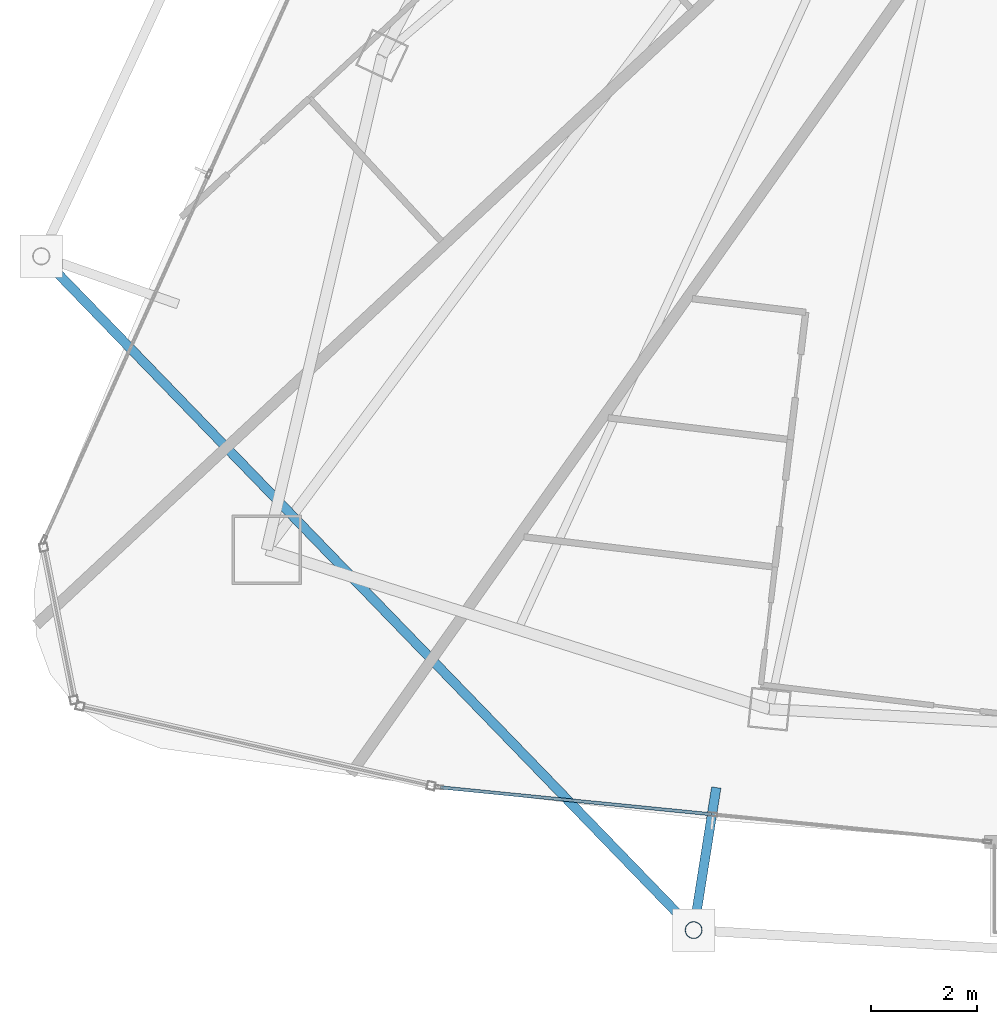
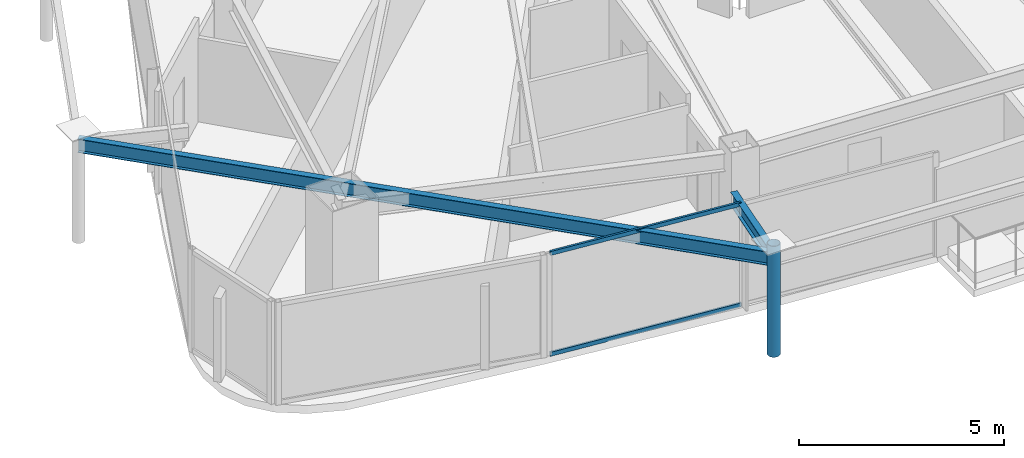
# One storey, part 3 of 32: 3 members, 2 beams, 1 element without a shape of its own.
"""IFC4 building model written with IfcOpenShell, lengths in metres."""

from ifc_helpers import new_model, si_unit, direction, frame, origin, origin_2d, place, context, subcontext, project, spatial, hollow_rectangle, hollow_circle, i_section, extrude, material, layer, layer_set, material_profile, profile_set, type_object, element, aggregate, save


model = new_model("IFC4")

# Units and contexts
model_context = context("Model", 3, precision=1e-05, world=origin(), true_north=direction((0.0, 1.0)))
body_context = subcontext(model_context, "Body", "Model", "MODEL_VIEW")
ifc_project = project(units=[si_unit("LENGTHUNIT", "METRE"), si_unit("AREAUNIT", "SQUARE_METRE"), si_unit("VOLUMEUNIT", "CUBIC_METRE"), si_unit("PLANEANGLEUNIT", "RADIAN"), si_unit("MASSUNIT", "GRAM", prefix="KILO")], contexts=[model_context])

# Site, building, storey
site_placement = place(None, origin())
site = spatial("IfcSite", under=ifc_project, at=site_placement, CompositionType="ELEMENT")
building_placement = place(site_placement, origin())
building = spatial("IfcBuilding", under=site, at=building_placement, Name="Orvanel Arch Residences", CompositionType="ELEMENT")
storey_placement = place(building_placement, frame((0.0, 0.0, 222.800048828125)))
storey = spatial("IfcBuildingStorey", under=building, at=storey_placement, Name="L63", CompositionType="ELEMENT", Elevation=222.800048828125)

# Beams
ifc_material_1 = material(Name="Structural steel AS/NZS 3679.1 Grade 300 (300 MPa)", Category="steel")
ifc_material_profile_1 = material_profile(ifc_material_1, i_section(OverallWidth=0.177978515625, OverallDepth=0.406005859375, WebThickness=0.0078125, FlangeThickness=0.0126953125, at=origin_2d()), Name="410UB59.7")
ifc_profile_set_1 = profile_set([ifc_material_profile_1], Name="Structural steel AS/NZS 3679.1 Grade 300 (300 MPa)")
beam_type = type_object("IfcBeamType", Name="OB-410UB-EXT", PredefinedType="SPANDREL", material=ifc_profile_set_1)
beam_1_placement = place(storey_placement, frame((9.9609375, 15.867919921875, 2.85693359375), z_axis=(0.695589803041, -0.718439159502, 0.0), x_axis=(0.718439159502, 0.695589803041, 0.0)))
element("IfcBeam", 1, at=beam_1_placement, inside=storey, type_object=beam_type, Name="L63 Outer Perimeter Floor Ring Beam 04", PredefinedType="SPANDREL", context=body_context, shape_type="SweptSolid", body=[
    extrude(i_section(OverallWidth=0.177978515625, OverallDepth=0.406005859375, WebThickness=0.0078125, FlangeThickness=0.0126953125, at=origin_2d()), origin(), (0.0, 0.0, 1.0), 17.6298828125),
])
beam_2_placement = place(storey_placement, frame((22.64892578125, 5.882080078125, 2.85693359375), z_axis=(-0.156544664948, -0.987670880342, 0.0), x_axis=(0.987670880342, -0.156544664948, 0.0)))
element("IfcBeam", 2, at=beam_2_placement, inside=storey, type_object=beam_type, Name="L63 Outer Frame Radial Tie Beam 05", PredefinedType="SPANDREL", context=body_context, shape_type="SweptSolid", body=[
    extrude(i_section(OverallWidth=0.177978515625, OverallDepth=0.406005859375, WebThickness=0.0078125, FlangeThickness=0.0126953125, at=origin_2d()), origin(), (0.0, 0.0, 1.0), 2.713623046875),
])

# Member
ifc_material_2 = material(Name="Structural steel AS/NZS 1163 C350L0 (Grade 350)", Category="steel")
ifc_material_profile_2 = material_profile(ifc_material_2, hollow_circle(Radius=0.162109375, WallThickness=0.0126953125, at=origin_2d()), Name="CHS324x12.7")
ifc_profile_set_2 = profile_set([ifc_material_profile_2], Name="Structural steel AS/NZS 1163 C350L0 (Grade 350)")
member_type_1 = type_object("IfcMemberType", Name="ST-324CHS-EXT", PredefinedType="STRUT", material=ifc_profile_set_2)
member_1_placement = place(storey_placement, frame((22.22412109375, 3.201904296875, 0.0), z_axis=(0.0, 0.0, 1.0), x_axis=(1.0, 0.0, 0.0)))
element("IfcMember", 3, at=member_1_placement, inside=storey, type_object=member_type_1, Name="L63 Outer Perimeter Frame Post 05", PredefinedType="STRUT", context=body_context, shape_type="SweptSolid", body=[
    extrude(hollow_circle(Radius=0.162109375, WallThickness=0.0126953125, at=origin_2d()), origin(), (0.0, 0.0, 1.0), 3.300048828125),
])

# Curtain wall, members
ifc_material_3 = material(Name="Bronze-anodised aluminium AA6063-T6", Category="aluminium")
ifc_layer = layer(ifc_material_3, 0.175048828125)
ifc_layer_set = layer_set([ifc_layer], Name="Bronze-anodised aluminium AA6063-T6")
curtain_wall_type = type_object("IfcCurtainWallType", Name="CW4-HI-SYS", PredefinedType="NOTDEFINED", material=ifc_layer_set)
curtain_wall_placement = place(storey_placement, origin())
curtain_wall = element("IfcCurtainWall", 4, at=curtain_wall_placement, inside=storey, type_object=curtain_wall_type, Name="L63 CW4-HI-SYS Unitised Curtain Wall", PredefinedType="NOTDEFINED")
ifc_material_profile_3 = material_profile(ifc_material_3, hollow_rectangle(XDim=0.06005859375, YDim=0.1201171875, WallThickness=0.00341796875, at=origin_2d()), Name="ALU120x60x3.5")
ifc_profile_set_3 = profile_set([ifc_material_profile_3], Name="Bronze-anodised aluminium AA6063-T6")
member_type_2 = type_object("IfcMemberType", Name="TRN-120x60", PredefinedType="USERDEFINED", material=ifc_profile_set_3)
member_2_placement = place(storey_placement, frame((17.46875, 5.884521484375, 0.030029296875), z_axis=(0.995103157741, -0.098841820371, 0.0), x_axis=(0.098841820371, 0.995103157741, 0.0)))
member_2 = element("IfcMember", 5, at=member_2_placement, type_object=member_type_2, Name="CW-S4 transom 1.1", ObjectType="TRANSOM", PredefinedType="USERDEFINED", context=body_context, shape_type="SweptSolid", body=[
    extrude(hollow_rectangle(XDim=0.06005859375, YDim=0.1201171875, WallThickness=0.00341796875, at=origin_2d()), origin(), (0.0, 0.0, 1.0), 5.113037109375),
])
member_3_placement = place(storey_placement, frame((17.46875, 5.884521484375, 3.030029296875), z_axis=(0.995103157741, -0.098841820371, 0.0), x_axis=(0.098841820371, 0.995103157741, 0.0)))
member_3 = element("IfcMember", 6, at=member_3_placement, type_object=member_type_2, Name="CW-S4 transom 1.2", ObjectType="TRANSOM", PredefinedType="USERDEFINED", context=body_context, shape_type="SweptSolid", body=[
    extrude(hollow_rectangle(XDim=0.06005859375, YDim=0.1201171875, WallThickness=0.00341796875, at=origin_2d()), origin(), (0.0, 0.0, 1.0), 5.113037109375),
])
aggregate(curtain_wall, [member_2, member_3])

save(model, "model.ifc")
